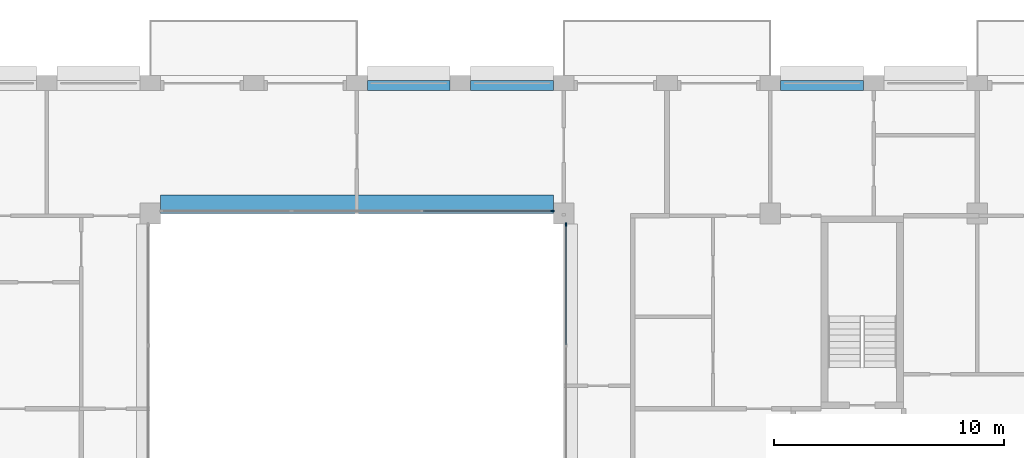
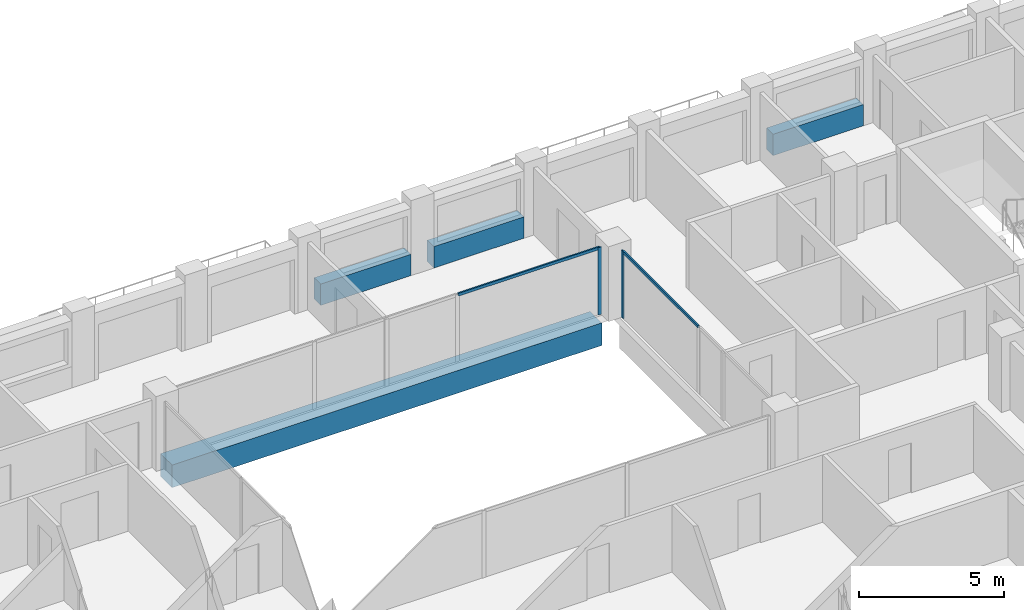
# One storey, part 6 of 16: 4 beams, 4 members, 2 elements without a shape of their own.
"""IFC4 building model written with IfcOpenShell, lengths in metres."""

from ifc_helpers import new_model, si_unit, direction, frame, origin, origin_2d, place, context, subcontext, project, spatial, rectangle, extrude, material, layer, layer_set, material_profile, profile_set, type_object, element, aggregate, save


model = new_model("IFC4")

# Units and contexts
model_context = context("Model", 3, precision=1e-05, world=origin(), true_north=direction((0.0, 1.0)))
body_context = subcontext(model_context, "Body", "Model", "MODEL_VIEW")
ifc_project = project(units=[si_unit("LENGTHUNIT", "METRE"), si_unit("AREAUNIT", "SQUARE_METRE"), si_unit("VOLUMEUNIT", "CUBIC_METRE"), si_unit("PLANEANGLEUNIT", "RADIAN"), si_unit("MASSUNIT", "GRAM", prefix="KILO")], contexts=[model_context])

# Site, building, storey
site_placement = place(None, origin())
site = spatial("IfcSite", under=ifc_project, at=site_placement, CompositionType="ELEMENT")
building_placement = place(site_placement, origin())
building = spatial("IfcBuilding", under=site, at=building_placement, Name="Brigalow Station Residences", CompositionType="ELEMENT")
storey_placement = place(building_placement, frame((0.0, 0.0, 201.14990234375)))
storey = spatial("IfcBuildingStorey", under=building, at=storey_placement, Name="L57", CompositionType="ELEMENT", Elevation=201.14990234375)

# Beam
ifc_material_1 = material(Name="Concrete C65", Category="concrete")
ifc_material_profile_1 = material_profile(ifc_material_1, rectangle(XDim=0.800048828125, YDim=0.949951171875, at=origin_2d()), Name="RC800x950")
ifc_profile_set_1 = profile_set([ifc_material_profile_1], Name="Concrete C65")
beam_type_1 = type_object("IfcBeamType", Name="ATRIUM EDGE GIRDER OVER 13.5 M SPAN 800x950 C65", PredefinedType="BEAM", material=ifc_profile_set_1)
beam_placement = place(storey_placement, frame((27.449951171875, 35.89990234375, -0.794921875), z_axis=(1.0, 0.0, 0.0), x_axis=(0.0, 1.0, 0.0)))
element("IfcBeam", 1, at=beam_placement, inside=storey, type_object=beam_type_1, Name="ATRIUM EDGE GIRDER D L57", PredefinedType="BEAM", context=body_context, shape_type="SweptSolid", body=[
    extrude(rectangle(XDim=0.800048828125, YDim=0.949951171875, at=origin_2d()), origin(), (0.0, 0.0, 1.0), 17.10009765625),
])

# Curtain wall, member
ifc_material_2 = material(Name="Aluminium", Category="aluminium")
ifc_layer = layer(ifc_material_2, 0.14990234375)
ifc_layer_set = layer_set([ifc_layer], Name="ATRIUM FIRE-RATED GLAZING CURTAIN WALL")
curtain_wall_type = type_object("IfcCurtainWallType", Name="ATRIUM FIRE-RATED GLAZING CURTAIN WALL", PredefinedType="NOTDEFINED", material=ifc_layer_set)
curtain_wall_1_placement = place(storey_placement, origin())
curtain_wall_1 = element("IfcCurtainWall", 2, at=curtain_wall_1_placement, inside=storey, type_object=curtain_wall_type, Name="L57/cw/atrium-E", PredefinedType="NOTDEFINED")
ifc_material_3 = material(Name="Aluminium", Category="aluminium")
ifc_material_profile_2 = material_profile(ifc_material_3, rectangle(XDim=0.06005859375, YDim=0.14990234375, at=origin_2d()), Name="ATRIUM FIRE-RATED GLAZING MULLION 60x150")
ifc_profile_set_2 = profile_set([ifc_material_profile_2], Name="Aluminium")
member_type_1 = type_object("IfcMemberType", Name="ATRIUM FIRE-RATED GLAZING MULLION 60x150", PredefinedType="MULLION", material=ifc_profile_set_2)
member_1_placement = place(storey_placement, frame((45.10009765625, 35.02001953125, 0.0), z_axis=(0.0, 0.0, 1.0), x_axis=(-1.0, 0.0, 0.0)))
member_1 = element("IfcMember", 3, at=member_1_placement, type_object=member_type_1, Name="L57/cw/atrium-E/M02", PredefinedType="MULLION", context=body_context, shape_type="SweptSolid", body=[
    extrude(rectangle(XDim=0.06005859375, YDim=0.14990234375, at=origin_2d()), origin(), (0.0, 0.0, 1.0), 2.830078125),
])

curtain_wall_2_placement = place(storey_placement, origin())
curtain_wall_2 = element("IfcCurtainWall", 4, at=curtain_wall_2_placement, inside=storey, type_object=curtain_wall_type, Name="L57/cw/atrium-N", PredefinedType="NOTDEFINED")
member_2_placement = place(storey_placement, frame((44.52001953125, 35.60009765625, 0.0), z_axis=(0.0, 0.0, 1.0), x_axis=(0.0, -1.0, 0.0)))
member_2 = element("IfcMember", 5, at=member_2_placement, type_object=member_type_1, Name="L57/cw/atrium-N/M00", PredefinedType="MULLION", context=body_context, shape_type="SweptSolid", body=[
    extrude(rectangle(XDim=0.06005859375, YDim=0.14990234375, at=origin_2d()), origin(), (0.0, 0.0, 1.0), 2.830078125),
])

# Member
ifc_material_4 = material(Name="Aluminium", Category="aluminium")
ifc_material_profile_3 = material_profile(ifc_material_4, rectangle(XDim=0.06005859375, YDim=0.1201171875, at=origin_2d()), Name="ATRIUM FIRE-RATED GLAZING TRANSOM 60x120")
ifc_profile_set_3 = profile_set([ifc_material_profile_3], Name="Aluminium")
member_type_2 = type_object("IfcMemberType", Name="ATRIUM FIRE-RATED GLAZING TRANSOM 60x120", PredefinedType="USERDEFINED", material=ifc_profile_set_3)
member_3_placement = place(storey_placement, frame((45.10009765625, 29.780029296875, 2.800048828125), z_axis=(0.0, 1.0, 0.0), x_axis=(-1.0, 0.0, 0.0)))
member_3 = element("IfcMember", 6, at=member_3_placement, type_object=member_type_2, Name="L57/cw/atrium-E/T01-00", ObjectType="TRANSOM", PredefinedType="USERDEFINED", context=body_context, shape_type="SweptSolid", body=[
    extrude(rectangle(XDim=0.06005859375, YDim=0.1201171875, at=origin_2d()), origin(), (0.0, 0.0, 1.0), 5.2099609375),
])

aggregate(curtain_wall_1, [member_1, member_3])

member_4_placement = place(storey_placement, frame((44.489990234375, 35.60009765625, 2.800048828125), z_axis=(-1.0, 0.0, 0.0), x_axis=(0.0, -1.0, 0.0)))
member_4 = element("IfcMember", 7, at=member_4_placement, type_object=member_type_2, Name="L57/cw/atrium-N/T00-00", ObjectType="TRANSOM", PredefinedType="USERDEFINED", context=body_context, shape_type="SweptSolid", body=[
    extrude(rectangle(XDim=0.06005859375, YDim=0.1201171875, at=origin_2d()), origin(), (0.0, 0.0, 1.0), 5.610107421875),
])

aggregate(curtain_wall_2, [member_2, member_4])

# Beams
ifc_material_5 = material(Name="Concrete C50", Category="concrete")
ifc_material_profile_4 = material_profile(ifc_material_5, rectangle(XDim=0.449951171875, YDim=0.89990234375, at=origin_2d()), Name="RC450x900")
ifc_profile_set_4 = profile_set([ifc_material_profile_4], Name="Concrete C50")
beam_type_2 = type_object("IfcBeamType", Name="SPANDREL BEAM 450x900 C50", PredefinedType="SPANDREL", material=ifc_profile_set_4)
for number, where, z_axis, x_axis, name in (
    (8, (58.050048828125, 41.074951171875, 0.4501953125), (-1.0, 0.0, 0.0), (0.0, -1.0, 0.0), "L57/spandrel/W-L57-22"),
    (9, (44.550048828125, 41.074951171875, 0.4501953125), (-1.0, 0.0, 0.0), (0.0, -1.0, 0.0), "L57/spandrel/W-L57-25"),
    (10, (40.050048828125, 41.074951171875, 0.4501953125), (-1.0, 0.0, 0.0), (0.0, -1.0, 0.0), "L57/spandrel/W-L57-26"),
):
    element("IfcBeam", number, at=place(storey_placement, frame(where, z_axis=z_axis, x_axis=x_axis)), inside=storey, type_object=beam_type_2, Name=name, PredefinedType="SPANDREL", context=body_context, shape_type="SweptSolid", body=[
        extrude(rectangle(XDim=0.449951171875, YDim=0.89990234375, at=origin_2d()), origin(), (0.0, 0.0, 1.0), 3.60009765625),
    ])

save(model, "model.ifc")
